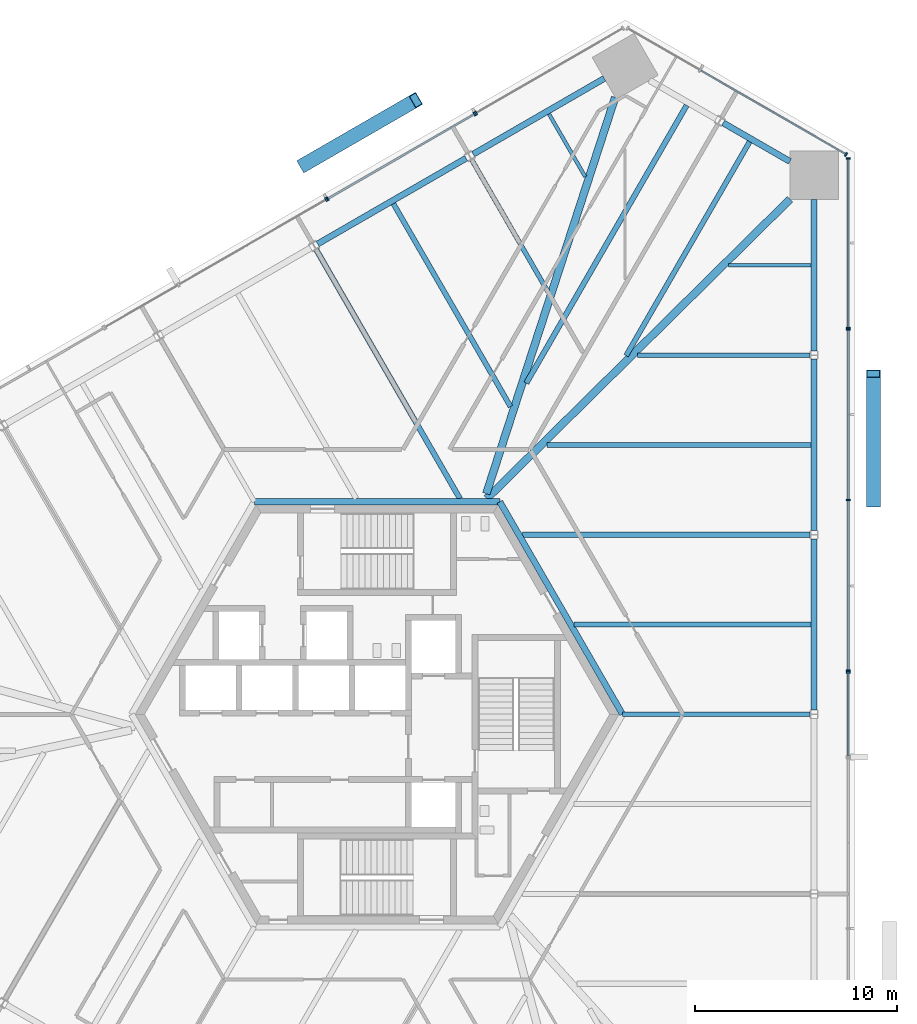
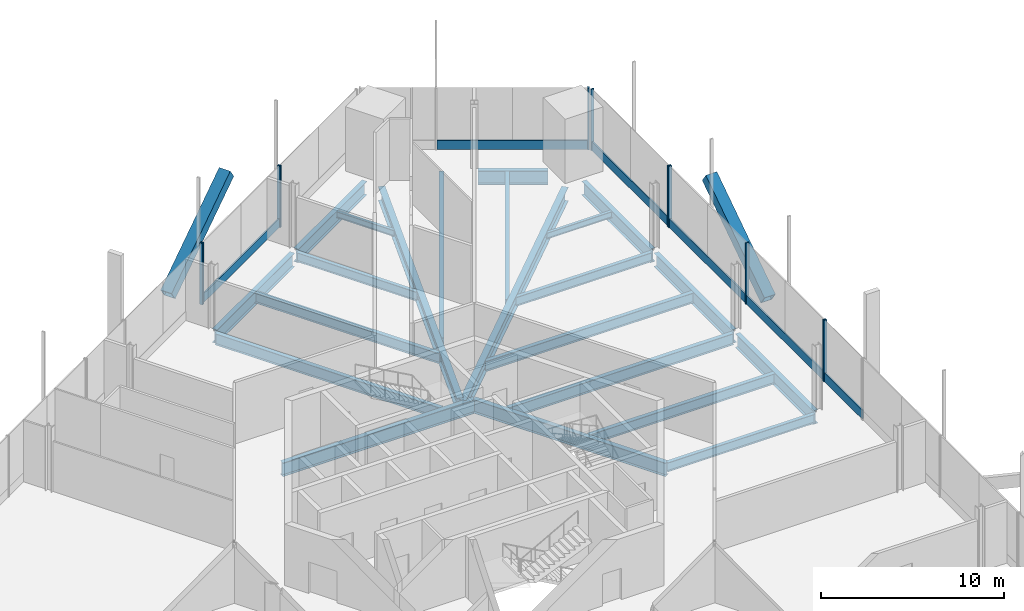
# One storey, part 7 of 19: 22 beams, 19 members, 7 elements without a shape of their own.
"""IFC4 building model written with IfcOpenShell, lengths in metres."""

from ifc_helpers import new_model, si_unit, direction, frame, origin, origin_2d, place, context, subcontext, project, spatial, rectangle, hollow_rectangle, i_section, extrude, source, transform, mapped, material, material_profile, profile_set, type_object, element, aggregate, save


model = new_model("IFC4")

# Units and contexts
model_context = context("Model", 3, precision=1e-05, world=origin(), true_north=direction((0.0, 1.0)))
body_context = subcontext(model_context, "Body", "Model", "MODEL_VIEW")
ifc_project = project(units=[si_unit("LENGTHUNIT", "METRE"), si_unit("AREAUNIT", "SQUARE_METRE"), si_unit("VOLUMEUNIT", "CUBIC_METRE"), si_unit("PLANEANGLEUNIT", "RADIAN"), si_unit("MASSUNIT", "GRAM", prefix="KILO")], contexts=[model_context])

# Site, building, storey
site_placement = place(None, origin())
site = spatial("IfcSite", under=ifc_project, at=site_placement, CompositionType="ELEMENT")
building_placement = place(site_placement, origin())
building = spatial("IfcBuilding", under=site, at=building_placement, Name="Triune Harvest Tower", CompositionType="ELEMENT")
storey_placement = place(building_placement, frame((0.0, 0.0, 41.800048828125)))
storey = spatial("IfcBuildingStorey", under=building, at=storey_placement, Name="L09", CompositionType="ELEMENT", Elevation=41.800048828125)

# Beams
ifc_material_1 = material(Name="Steel ASTM A992 Gr 50", Category="steel")
ifc_material_profile_1 = material_profile(ifc_material_1, i_section(OverallWidth=0.3046875, OverallDepth=0.914306640625, WebThickness=0.0166015625, FlangeThickness=0.02587890625, at=origin_2d()), Name="W36x160")
ifc_profile_set_1 = profile_set([ifc_material_profile_1], Name="Steel ASTM A992 Gr 50")
beam_type_1 = type_object("IfcBeamType", Name="CG-1 Core ring girder W36x160", PredefinedType="BEAM", material=ifc_profile_set_1)
shared_shape_1 = source(origin(), body_context, "Body", "SweptSolid", [
    extrude(i_section(OverallWidth=0.3046875, OverallDepth=0.914306640625, WebThickness=0.0166015625, FlangeThickness=0.02587890625, at=origin_2d()), origin(), (0.0, 0.0, 1.0), 12.176025390625),
])
beam_1_placement = place(storey_placement, frame((12.176025390625, 0.0, -0.6572265625), z_axis=(-0.5000099932, 0.866019634131, 0.0), x_axis=(-0.866019634131, -0.5000099932, 0.0)))
element("IfcBeam", 1, at=beam_1_placement, inside=storey, type_object=beam_type_1, Name="beam/L09/CG1", PredefinedType="BEAM", context=body_context, shape_type="MappedRepresentation", body=[
    mapped(shared_shape_1, transform((0.0, 0.0, 0.0), scale=1.0)),
])
shared_shape_2 = source(origin(), body_context, "Body", "SweptSolid", [
    extrude(i_section(OverallWidth=0.3046875, OverallDepth=0.914306640625, WebThickness=0.0166015625, FlangeThickness=0.02587890625, at=origin_2d()), origin(), (0.0, 0.0, 1.0), 12.17578125),
])
beam_2_placement = place(storey_placement, frame((6.087890625, 10.544677734375, -0.6572265625), z_axis=(-1.0, 0.0, 0.0), x_axis=(0.0, -1.0, 0.0)))
element("IfcBeam", 2, at=beam_2_placement, inside=storey, type_object=beam_type_1, Name="beam/L09/CG2", PredefinedType="BEAM", context=body_context, shape_type="MappedRepresentation", body=[
    mapped(shared_shape_2, transform((0.0, 0.0, 0.0), scale=1.0)),
])
ifc_material_2 = material(Name="Steel ASTM A992 Gr 50", Category="steel")
ifc_material_profile_2 = material_profile(ifc_material_2, i_section(OverallWidth=0.383544921875, OverallDepth=0.9423828125, WebThickness=0.022216796875, FlangeThickness=0.039794921875, at=origin_2d()), Name="W36x232")
ifc_profile_set_2 = profile_set([ifc_material_profile_2], Name="Steel ASTM A992 Gr 50")
beam_type_2 = type_object("IfcBeamType", Name="HG-1 Hip girder W36x232", PredefinedType="BEAM", material=ifc_profile_set_2)
shared_shape_3 = source(origin(), body_context, "Body", "SweptSolid", [
    extrude(i_section(OverallWidth=0.383544921875, OverallDepth=0.9423828125, WebThickness=0.022216796875, FlangeThickness=0.039794921875, at=origin_2d()), origin(), (0.0, 0.0, 1.0), 21.132568359375),
])
beam_3_placement = place(storey_placement, frame((20.4794921875, 25.545166015625, -0.671142578125), z_axis=(-0.711563602244, -0.7026216905, 0.0), x_axis=(0.7026216905, -0.711563602244, 0.0)))
element("IfcBeam", 3, at=beam_3_placement, inside=storey, type_object=beam_type_2, Name="beam/L09/HG2", PredefinedType="BEAM", context=body_context, shape_type="MappedRepresentation", body=[
    mapped(shared_shape_3, transform((0.0, 0.0, 0.0), scale=1.0)),
])
shared_shape_4 = source(origin(), body_context, "Body", "SweptSolid", [
    extrude(i_section(OverallWidth=0.383544921875, OverallDepth=0.9423828125, WebThickness=0.022216796875, FlangeThickness=0.039794921875, at=origin_2d()), origin(), (0.0, 0.0, 1.0), 20.676025390625),
])
beam_4_placement = place(storey_placement, frame((11.809814453125, 30.6044921875, -0.671142578125), z_axis=(-0.309191000288, -0.950999960747, 0.0), x_axis=(0.950999960747, -0.309191000288, 0.0)))
element("IfcBeam", 4, at=beam_4_placement, inside=storey, type_object=beam_type_2, Name="beam/L09/HG3", PredefinedType="BEAM", context=body_context, shape_type="MappedRepresentation", body=[
    mapped(shared_shape_4, transform((0.0, 0.0, 0.0), scale=1.0)),
])
ifc_material_3 = material(Name="Steel ASTM A992 Gr 50", Category="steel")
ifc_material_profile_3 = material_profile(ifc_material_3, i_section(OverallWidth=0.2666015625, OverallDepth=0.7568359375, WebThickness=0.013916015625, FlangeThickness=0.019287109375, at=origin_2d()), Name="W30x108")
ifc_profile_set_3 = profile_set([ifc_material_profile_3], Name="Steel ASTM A992 Gr 50")
beam_type_3 = type_object("IfcBeamType", Name="JT-5 Floor joist W30x108", PredefinedType="JOIST", material=ifc_profile_set_3)
shared_shape_5 = source(origin(), body_context, "Body", "SweptSolid", [
    extrude(i_section(OverallWidth=0.2666015625, OverallDepth=0.7568359375, WebThickness=0.013916015625, FlangeThickness=0.019287109375, at=origin_2d()), origin(), (0.0, 0.0, 1.0), 14.2685546875),
])
for number, where, z_axis, x_axis, name in (
    (5, (21.476318359375, 8.909912109375, -0.57861328125), (-1.0, 0.0, 0.0), (0.0, -1.0, 0.0), "beam/L09/JT8"),
    (6, (-3.02197265625, 23.053955078125, -0.57861328125), (0.499999916269, -0.866025452127, 0.0), (0.866025452127, 0.499999916269, 0.0), "beam/L09/JT17"),
):
    element("IfcBeam", number, at=place(storey_placement, frame(where, z_axis=z_axis, x_axis=x_axis)), inside=storey, type_object=beam_type_3, Name=name, PredefinedType="JOIST", context=body_context, shape_type="MappedRepresentation", body=[
        mapped(shared_shape_5, transform((0.0, 0.0, 0.0), scale=1.0)),
    ])
ifc_material_4 = material(Name="Steel ASTM A992 Gr 50", Category="steel")
ifc_material_profile_4 = material_profile(ifc_material_4, i_section(OverallWidth=0.22900390625, OverallDepth=0.612060546875, WebThickness=0.011962890625, FlangeThickness=0.01953125, at=origin_2d()), Name="W24x84")
ifc_profile_set_4 = profile_set([ifc_material_profile_4], Name="Steel ASTM A992 Gr 50")
beam_type_4 = type_object("IfcBeamType", Name="JT-3 Floor joist W24x84", PredefinedType="JOIST", material=ifc_profile_set_4)
shared_shape_6 = source(origin(), body_context, "Body", "SweptSolid", [
    extrude(i_section(OverallWidth=0.22900390625, OverallDepth=0.612060546875, WebThickness=0.011962890625, FlangeThickness=0.01953125, at=origin_2d()), origin(), (0.0, 0.0, 1.0), 9.30029296875),
])
beam_5_placement = place(storey_placement, frame((21.476318359375, 0.0, -0.506103515625), z_axis=(-1.0, 0.0, 0.0), x_axis=(0.0, -1.0, 0.0)))
element("IfcBeam", 7, at=beam_5_placement, inside=storey, type_object=beam_type_4, Name="beam/L09/JT6", PredefinedType="JOIST", context=body_context, shape_type="MappedRepresentation", body=[
    mapped(shared_shape_6, transform((0.0, 0.0, 0.0), scale=1.0)),
])
shared_shape_7 = source(origin(), body_context, "Body", "SweptSolid", [
    extrude(i_section(OverallWidth=0.22900390625, OverallDepth=0.612060546875, WebThickness=0.011962890625, FlangeThickness=0.01953125, at=origin_2d()), origin(), (0.0, 0.0, 1.0), 8.54736328125),
])
beam_6_placement = place(storey_placement, frame((21.476318359375, 17.820068359375, -0.506103515625), z_axis=(-1.0, 0.0, 0.0), x_axis=(0.0, -1.0, 0.0)))
element("IfcBeam", 8, at=beam_6_placement, inside=storey, type_object=beam_type_4, Name="beam/L09/JT10", PredefinedType="JOIST", context=body_context, shape_type="MappedRepresentation", body=[
    mapped(shared_shape_7, transform((0.0, 0.0, 0.0), scale=1.0)),
])
shared_shape_8 = source(origin(), body_context, "Body", "SweptSolid", [
    extrude(i_section(OverallWidth=0.22900390625, OverallDepth=0.612060546875, WebThickness=0.011962890625, FlangeThickness=0.01953125, at=origin_2d()), origin(), (0.0, 0.0, 1.0), 7.55859375),
])
beam_7_placement = place(storey_placement, frame((4.6943359375, 27.509033203125, -0.506103515625), z_axis=(0.500002049001, -0.86602422079, 0.0), x_axis=(0.86602422079, 0.500002049001, 0.0)))
element("IfcBeam", 9, at=beam_7_placement, inside=storey, type_object=beam_type_4, Name="beam/L09/JT15", PredefinedType="JOIST", context=body_context, shape_type="MappedRepresentation", body=[
    mapped(shared_shape_8, transform((0.0, 0.0, 0.0), scale=1.0)),
])
ifc_material_5 = material(Name="Steel ASTM A992 Gr 50", Category="steel")
ifc_material_profile_5 = material_profile(ifc_material_5, i_section(OverallWidth=0.3046875, OverallDepth=0.914306640625, WebThickness=0.0166015625, FlangeThickness=0.02587890625, at=origin_2d()), Name="W36x160")
ifc_profile_set_5 = profile_set([ifc_material_profile_5], Name="Steel ASTM A992 Gr 50")
beam_type_5 = type_object("IfcBeamType", Name="SB-1 Spandrel beam W36x160", PredefinedType="SPANDREL", material=ifc_profile_set_5)
shared_shape_9 = source(origin(), body_context, "Body", "SweptSolid", [
    extrude(i_section(OverallWidth=0.3046875, OverallDepth=0.914306640625, WebThickness=0.0166015625, FlangeThickness=0.02587890625, at=origin_2d()), origin(), (0.0, 0.0, 1.0), 7.508056640625),
])
beam_8_placement = place(storey_placement, frame((21.679443359375, 18.02197265625, -0.6572265625), z_axis=(0.0, 1.0, 0.0), x_axis=(-1.0, 0.0, 0.0)))
element("IfcBeam", 10, at=beam_8_placement, inside=storey, type_object=beam_type_5, Name="beam/L09/SB6", PredefinedType="SPANDREL", context=body_context, shape_type="MappedRepresentation", body=[
    mapped(shared_shape_9, transform((0.0, 0.0, 0.0), scale=1.0)),
])
shared_shape_10 = source(origin(), body_context, "Body", "SweptSolid", [
    extrude(i_section(OverallWidth=0.3046875, OverallDepth=0.914306640625, WebThickness=0.0166015625, FlangeThickness=0.02587890625, at=origin_2d()), origin(), (0.0, 0.0, 1.0), 8.50634765625),
])
beam_9_placement = place(storey_placement, frame((21.679443359375, 9.11181640625, -0.6572265625), z_axis=(0.0, 1.0, 0.0), x_axis=(-1.0, 0.0, 0.0)))
element("IfcBeam", 11, at=beam_9_placement, inside=storey, type_object=beam_type_5, Name="beam/L09/SB5", PredefinedType="SPANDREL", context=body_context, shape_type="MappedRepresentation", body=[
    mapped(shared_shape_10, transform((0.0, 0.0, 0.0), scale=1.0)),
])
shared_shape_11 = source(origin(), body_context, "Body", "SweptSolid", [
    extrude(i_section(OverallWidth=0.3046875, OverallDepth=0.914306640625, WebThickness=0.0166015625, FlangeThickness=0.02587890625, at=origin_2d()), origin(), (0.0, 0.0, 1.0), 8.506103515625),
])
for number, where, z_axis, x_axis, name in (
    (12, (21.679443359375, 0.201904296875, -0.6572265625), (0.0, 1.0, 0.0), (-1.0, 0.0, 0.0), "beam/L09/SB4"),
    (13, (4.41796875, 27.583984375, -0.6572265625), (-0.866030246746, -0.49999161165, 0.0), (0.49999161165, -0.866030246746, 0.0), "beam/L09/SB10"),
):
    element("IfcBeam", number, at=place(storey_placement, frame(where, z_axis=z_axis, x_axis=x_axis)), inside=storey, type_object=beam_type_5, Name=name, PredefinedType="SPANDREL", context=body_context, shape_type="MappedRepresentation", body=[
        mapped(shared_shape_11, transform((0.0, 0.0, 0.0), scale=1.0)),
    ])
shared_shape_12 = source(origin(), body_context, "Body", "SweptSolid", [
    extrude(i_section(OverallWidth=0.3046875, OverallDepth=0.914306640625, WebThickness=0.0166015625, FlangeThickness=0.02587890625, at=origin_2d()), origin(), (0.0, 0.0, 1.0), 3.822265625),
])
beam_10_placement = place(storey_placement, frame((20.4794921875, 27.4228515625, -0.6572265625), z_axis=(-0.866033487859, 0.499985997711, 0.0), x_axis=(-0.499985997711, -0.866033487859, 0.0)))
element("IfcBeam", 14, at=beam_10_placement, inside=storey, type_object=beam_type_5, Name="beam/L09/SB7", PredefinedType="SPANDREL", context=body_context, shape_type="MappedRepresentation", body=[
    mapped(shared_shape_12, transform((0.0, 0.0, 0.0), scale=1.0)),
])
shared_shape_13 = source(origin(), body_context, "Body", "SweptSolid", [
    extrude(i_section(OverallWidth=0.3046875, OverallDepth=0.914306640625, WebThickness=0.0166015625, FlangeThickness=0.02587890625, at=origin_2d()), origin(), (0.0, 0.0, 1.0), 7.50830078125),
])
beam_11_placement = place(storey_placement, frame((11.27001953125, 31.5400390625, -0.6572265625), z_axis=(-0.866027474485, -0.499996413425, 0.0), x_axis=(0.499996413425, -0.866027474485, 0.0)))
element("IfcBeam", 15, at=beam_11_placement, inside=storey, type_object=beam_type_5, Name="beam/L09/SB9", PredefinedType="SPANDREL", context=body_context, shape_type="MappedRepresentation", body=[
    mapped(shared_shape_13, transform((0.0, 0.0, 0.0), scale=1.0)),
])
ifc_material_6 = material(Name="Steel ASTM A992 Gr 50", Category="steel")
ifc_material_profile_6 = material_profile(ifc_material_6, i_section(OverallWidth=0.180908203125, OverallDepth=0.41650390625, WebThickness=0.010986328125, FlangeThickness=0.01806640625, at=origin_2d()), Name="W16x57")
ifc_profile_set_6 = profile_set([ifc_material_profile_6], Name="Steel ASTM A992 Gr 50")
beam_type_6 = type_object("IfcBeamType", Name="JT-1 Floor joist W16x57", PredefinedType="JOIST", material=ifc_profile_set_6)
shared_shape_14 = source(origin(), body_context, "Body", "SweptSolid", [
    extrude(i_section(OverallWidth=0.180908203125, OverallDepth=0.41650390625, WebThickness=0.010986328125, FlangeThickness=0.01806640625, at=origin_2d()), origin(), (0.0, 0.0, 1.0), 3.599365234375),
])
beam_12_placement = place(storey_placement, frame((8.527099609375, 29.780517578125, -0.408447265625), z_axis=(0.50001992892, -0.866013897511, 0.0), x_axis=(0.866013897511, 0.50001992892, 0.0)))
element("IfcBeam", 16, at=beam_12_placement, inside=storey, type_object=beam_type_6, Name="beam/L09/JT14", PredefinedType="JOIST", context=body_context, shape_type="MappedRepresentation", body=[
    mapped(shared_shape_14, transform((0.0, 0.0, 0.0), scale=1.0)),
])
ifc_material_7 = material(Name="Steel ASTM A992 Gr 50", Category="steel")
ifc_material_profile_7 = material_profile(ifc_material_7, i_section(OverallWidth=0.253662109375, OverallDepth=0.683349609375, WebThickness=0.012451171875, FlangeThickness=0.01904296875, at=origin_2d()), Name="W27x94")
ifc_profile_set_7 = profile_set([ifc_material_profile_7], Name="Steel ASTM A992 Gr 50")
beam_type_7 = type_object("IfcBeamType", Name="JT-4 Floor joist W27x94", PredefinedType="JOIST", material=ifc_profile_set_7)
shared_shape_15 = source(origin(), body_context, "Body", "SweptSolid", [
    extrude(i_section(OverallWidth=0.253662109375, OverallDepth=0.683349609375, WebThickness=0.012451171875, FlangeThickness=0.01904296875, at=origin_2d()), origin(), (0.0, 0.0, 1.0), 11.747314453125),
])
beam_13_placement = place(storey_placement, frame((21.527099609375, 4.455078125, -0.541748046875), z_axis=(-1.0, 0.0, 0.0), x_axis=(0.0, -1.0, 0.0)))
element("IfcBeam", 17, at=beam_13_placement, inside=storey, type_object=beam_type_7, Name="beam/L09/JT7", PredefinedType="JOIST", context=body_context, shape_type="MappedRepresentation", body=[
    mapped(shared_shape_15, transform((0.0, 0.0, 0.0), scale=1.0)),
])
shared_shape_16 = source(origin(), body_context, "Body", "SweptSolid", [
    extrude(i_section(OverallWidth=0.253662109375, OverallDepth=0.683349609375, WebThickness=0.012451171875, FlangeThickness=0.01904296875, at=origin_2d()), origin(), (0.0, 0.0, 1.0), 13.110107421875),
])
beam_14_placement = place(storey_placement, frame((21.527099609375, 13.364990234375, -0.541748046875), z_axis=(-1.0, 0.0, 0.0), x_axis=(0.0, -1.0, 0.0)))
element("IfcBeam", 18, at=beam_14_placement, inside=storey, type_object=beam_type_7, Name="beam/L09/JT9", PredefinedType="JOIST", context=body_context, shape_type="MappedRepresentation", body=[
    mapped(shared_shape_16, transform((0.0, 0.0, 0.0), scale=1.0)),
])
shared_shape_17 = source(origin(), body_context, "Body", "SweptSolid", [
    extrude(i_section(OverallWidth=0.180908203125, OverallDepth=0.41650390625, WebThickness=0.010986328125, FlangeThickness=0.01806640625, at=origin_2d()), origin(), (0.0, 0.0, 1.0), 4.08642578125),
])
beam_15_placement = place(storey_placement, frame((21.527099609375, 22.27490234375, -0.408447265625), z_axis=(-1.0, 0.0, 0.0), x_axis=(0.0, -1.0, 0.0)))
element("IfcBeam", 19, at=beam_15_placement, inside=storey, type_object=beam_type_6, Name="beam/L09/JT11", PredefinedType="JOIST", context=body_context, shape_type="MappedRepresentation", body=[
    mapped(shared_shape_17, transform((0.0, 0.0, 0.0), scale=1.0)),
])
shared_shape_18 = source(origin(), body_context, "Body", "SweptSolid", [
    extrude(i_section(OverallWidth=0.253662109375, OverallDepth=0.683349609375, WebThickness=0.012451171875, FlangeThickness=0.01904296875, at=origin_2d()), origin(), (0.0, 0.0, 1.0), 12.2509765625),
])
beam_16_placement = place(storey_placement, frame((18.479736328125, 28.4013671875, -0.541748046875), z_axis=(-0.500001335473, -0.866024632748, 0.0), x_axis=(0.866024632748, -0.500001335473, 0.0)))
element("IfcBeam", 20, at=beam_16_placement, inside=storey, type_object=beam_type_7, Name="beam/L09/JT12", PredefinedType="JOIST", context=body_context, shape_type="MappedRepresentation", body=[
    mapped(shared_shape_18, transform((0.0, 0.0, 0.0), scale=1.0)),
])
shared_shape_19 = source(origin(), body_context, "Body", "SweptSolid", [
    extrude(i_section(OverallWidth=0.2666015625, OverallDepth=0.7568359375, WebThickness=0.013916015625, FlangeThickness=0.019287109375, at=origin_2d()), origin(), (0.0, 0.0, 1.0), 15.90771484375),
])
beam_17_placement = place(storey_placement, frame((15.3564453125, 30.20458984375, -0.57861328125), z_axis=(-0.500003211559, -0.866023549582, 0.0), x_axis=(0.866023549582, -0.500003211559, 0.0)))
element("IfcBeam", 21, at=beam_17_placement, inside=storey, type_object=beam_type_3, Name="beam/L09/JT13", PredefinedType="JOIST", context=body_context, shape_type="MappedRepresentation", body=[
    mapped(shared_shape_19, transform((0.0, 0.0, 0.0), scale=1.0)),
])
shared_shape_20 = source(origin(), body_context, "Body", "SweptSolid", [
    extrude(i_section(OverallWidth=0.253662109375, OverallDepth=0.683349609375, WebThickness=0.012451171875, FlangeThickness=0.01904296875, at=origin_2d()), origin(), (0.0, 0.0, 1.0), 11.618896484375),
])
beam_18_placement = place(storey_placement, frame((0.810791015625, 25.325439453125, -0.541748046875), z_axis=(0.500008015982, -0.866020775706, 0.0), x_axis=(0.866020775706, 0.500008015982, 0.0)))
element("IfcBeam", 22, at=beam_18_placement, inside=storey, type_object=beam_type_7, Name="beam/L09/JT16", PredefinedType="JOIST", context=body_context, shape_type="MappedRepresentation", body=[
    mapped(shared_shape_20, transform((0.0, 0.0, 0.0), scale=1.0)),
])

# Members
ifc_material_8 = material(Name="Steel ASTM A572 Gr 50", Category="steel")
ifc_material_profile_8 = material_profile(ifc_material_8, hollow_rectangle(XDim=0.699951171875, YDim=0.699951171875, WallThickness=0.0400390625, at=origin_2d()), Name="Box 700x700x40")
ifc_profile_set_8 = profile_set([ifc_material_profile_8], Name="Steel ASTM A572 Gr 50")
member_type_1 = type_object("IfcMemberType", Name="BR-1 Brace Box 700x700x40", PredefinedType="BRACE", material=ifc_profile_set_8)
shared_shape_21 = source(origin(), body_context, "Body", "SweptSolid", [
    extrude(hollow_rectangle(XDim=0.699951171875, YDim=0.699951171875, WallThickness=0.0400390625, at=origin_2d()), origin(), (0.0, 0.0, 1.0), 7.728515625),
])
for number, where, z_axis, x_axis, name in (
    (23, (24.621337890625, 10.471923828125, 0.0), (0.0, 0.830925953807, 0.556383014918), (-1.0, 0.0, 0.0), "brace/B1-F1/d1/7"),
    (24, (-3.641845703125, 27.25146484375, 0.0), (0.719604017031, 0.415462336786, 0.556382157681), (-0.499998884236, 0.86602604797, 0.0), "brace/B1-F3/d2/7"),
):
    element("IfcMember", number, at=place(storey_placement, frame(where, z_axis=z_axis, x_axis=x_axis)), inside=storey, type_object=member_type_1, Name=name, PredefinedType="BRACE", context=body_context, shape_type="MappedRepresentation", body=[
        mapped(shared_shape_21, transform((0.0, 0.0, 0.0), scale=1.0)),
    ])

# Curtain wall, member
ifc_material_9 = material(Name="Aluminium bronze anodised", Category="aluminium")
curtain_wall_type_1 = type_object("IfcCurtainWallType", Name="CW-3 Farm floor curtain wall", PredefinedType="NOTDEFINED", material=ifc_material_9)
curtain_wall_1_placement = place(storey_placement, origin())
curtain_wall_1 = element("IfcCurtainWall", 25, at=curtain_wall_1_placement, inside=storey, type_object=curtain_wall_type_1, Name="CW-3 B1-F2 L09 run 1")
ifc_material_10 = material(Name="Aluminium bronze anodised", Category="aluminium")
ifc_material_profile_9 = material_profile(ifc_material_10, rectangle(XDim=0.090087890625, YDim=0.60009765625, at=origin_2d()), Name="TR-3 transom 90 x 600")
ifc_profile_set_9 = profile_set([ifc_material_profile_9], Name="Aluminium bronze anodised")
member_type_2 = type_object("IfcMemberType", Name="TR-3 transom 90 x 600", PredefinedType="USERDEFINED", material=ifc_profile_set_9)
shared_shape_22 = source(origin(), body_context, "Body", "SweptSolid", [
    extrude(rectangle(XDim=0.090087890625, YDim=0.60009765625, at=origin_2d()), origin(), (0.0, 0.0, 1.0), 8.27587890625),
])
member_1_placement = place(storey_placement, frame((23.22412109375, 27.791748046875, 0.300048828125), z_axis=(-0.866021501281, 0.500006759273, 0.0), x_axis=(-0.500006759273, -0.866021501281, 0.0)))
member_1 = element("IfcMember", 26, at=member_1_placement, type_object=member_type_2, Name="CW-3 transom B1-F2 1.1", ObjectType="TRANSOM", PredefinedType="USERDEFINED", context=body_context, shape_type="MappedRepresentation", body=[
    mapped(shared_shape_22, transform((0.0, 0.0, 0.0), scale=1.0)),
])

curtain_wall_2_placement = place(storey_placement, origin())
curtain_wall_2 = element("IfcCurtainWall", 27, at=curtain_wall_2_placement, inside=storey, type_object=curtain_wall_type_1, Name="CW-3 B1-F1 L09 run 2001")
ifc_material_11 = material(Name="Aluminium bronze anodised", Category="aluminium")
ifc_material_profile_10 = material_profile(ifc_material_11, rectangle(XDim=0.199951171875, YDim=0.080078125, at=origin_2d()), Name="MU-3 mullion 80 x 200")
ifc_profile_set_10 = profile_set([ifc_material_profile_10], Name="Aluminium bronze anodised")
member_type_3 = type_object("IfcMemberType", Name="MU-3 mullion 80 x 200", PredefinedType="MULLION", material=ifc_profile_set_10)
shared_shape_23 = source(origin(), body_context, "Body", "SweptSolid", [
    extrude(rectangle(XDim=0.199951171875, YDim=0.080078125, at=origin_2d()), origin(), (0.0, 0.0, 1.0), 4.099853515625),
])
member_2_placement = place(storey_placement, frame((23.371337890625, 2.08447265625, 0.0), z_axis=(0.0, 0.0, 1.0), x_axis=(-1.0, 0.0, 0.0)))
member_2 = element("IfcMember", 28, at=member_2_placement, type_object=member_type_3, Name="CW-3 mullion B1-F1 2001.2", PredefinedType="MULLION", context=body_context, shape_type="MappedRepresentation", body=[
    mapped(shared_shape_23, transform((0.0, 0.0, 0.0), scale=1.0)),
])

# Curtain wall, members
ifc_material_12 = material(Name="Aluminium bronze anodised", Category="aluminium")
curtain_wall_type_2 = type_object("IfcCurtainWallType", Name="CW-8 Farm floor curtain wall with insulated spandrel infill", PredefinedType="NOTDEFINED", material=ifc_material_12)
curtain_wall_3_placement = place(storey_placement, origin())
curtain_wall_3 = element("IfcCurtainWall", 29, at=curtain_wall_3_placement, inside=storey, type_object=curtain_wall_type_2, Name="CW-8 B1-F1 L09 run 3001")
member_3_placement = place(storey_placement, frame((23.371337890625, 2.164306640625, 0.0), z_axis=(0.0, 0.0, 1.0), x_axis=(-1.0, 0.0, 0.0)))
member_3 = element("IfcMember", 30, at=member_3_placement, type_object=member_type_3, Name="CW-8 mullion B1-F1 3001.1", PredefinedType="MULLION", context=body_context, shape_type="MappedRepresentation", body=[
    mapped(shared_shape_23, transform((0.0, 0.0, 0.0), scale=1.0)),
])
member_4_placement = place(storey_placement, frame((23.371337890625, 10.621826171875, 0.0), z_axis=(0.0, 0.0, 1.0), x_axis=(-1.0, 0.0, 0.0)))
member_4 = element("IfcMember", 31, at=member_4_placement, type_object=member_type_3, Name="CW-8 mullion B1-F1 3001.3", PredefinedType="MULLION", context=body_context, shape_type="MappedRepresentation", body=[
    mapped(shared_shape_23, transform((0.0, 0.0, 0.0), scale=1.0)),
])
member_5_placement = place(storey_placement, frame((23.371337890625, 19.079345703125, 0.0), z_axis=(0.0, 0.0, 1.0), x_axis=(-1.0, 0.0, 0.0)))
member_5 = element("IfcMember", 32, at=member_5_placement, type_object=member_type_3, Name="CW-8 mullion B1-F1 3001.5", PredefinedType="MULLION", context=body_context, shape_type="MappedRepresentation", body=[
    mapped(shared_shape_23, transform((0.0, 0.0, 0.0), scale=1.0)),
])

curtain_wall_4_placement = place(storey_placement, origin())
curtain_wall_4 = element("IfcCurtainWall", 33, at=curtain_wall_4_placement, inside=storey, type_object=curtain_wall_type_1, Name="CW-3 B1-F1 L09 run 4001")
member_6_placement = place(storey_placement, frame((23.371337890625, 19.1591796875, 0.0), z_axis=(0.0, 0.0, 1.0), x_axis=(-1.0, 0.0, 0.0)))
member_6 = element("IfcMember", 34, at=member_6_placement, type_object=member_type_3, Name="CW-3 mullion B1-F1 4001.1", PredefinedType="MULLION", context=body_context, shape_type="MappedRepresentation", body=[
    mapped(shared_shape_23, transform((0.0, 0.0, 0.0), scale=1.0)),
])
member_7_placement = place(storey_placement, frame((23.371337890625, 27.576904296875, 0.0), z_axis=(0.0, 0.0, 1.0), x_axis=(-1.0, 0.0, 0.0)))
member_7 = element("IfcMember", 35, at=member_7_placement, type_object=member_type_3, Name="CW-3 mullion B1-F1 4001.3", PredefinedType="MULLION", context=body_context, shape_type="MappedRepresentation", body=[
    mapped(shared_shape_23, transform((0.0, 0.0, 0.0), scale=1.0)),
])

# Member
member_8_placement = place(storey_placement, frame((23.2587890625, 27.771728515625, 0.0), z_axis=(0.0, 0.0, 1.0), x_axis=(-0.499998715149, -0.866026145592, 0.0)))
member_8 = element("IfcMember", 36, at=member_8_placement, type_object=member_type_3, Name="CW-3 mullion B1-F2 1.1", PredefinedType="MULLION", context=body_context, shape_type="MappedRepresentation", body=[
    mapped(shared_shape_23, transform((0.0, 0.0, 0.0), scale=1.0)),
])

aggregate(curtain_wall_1, [member_8, member_1])

# Curtain wall, member
curtain_wall_5_placement = place(storey_placement, origin())
curtain_wall_5 = element("IfcCurtainWall", 37, at=curtain_wall_5_placement, inside=storey, type_object=curtain_wall_type_1, Name="CW-3 B1-F3 L09 run 1")
member_9_placement = place(storey_placement, frame((4.90673828125, 29.81982421875, 0.0), z_axis=(0.0, 0.0, 1.0), x_axis=(0.499995239328, -0.866028152342, 0.0)))
member_9 = element("IfcMember", 38, at=member_9_placement, type_object=member_type_3, Name="CW-3 mullion B1-F3 1.3", PredefinedType="MULLION", context=body_context, shape_type="MappedRepresentation", body=[
    mapped(shared_shape_23, transform((0.0, 0.0, 0.0), scale=1.0)),
])
aggregate(curtain_wall_5, [member_9])

# Curtain wall, members
curtain_wall_6_placement = place(storey_placement, origin())
curtain_wall_6 = element("IfcCurtainWall", 39, at=curtain_wall_6_placement, inside=storey, type_object=curtain_wall_type_2, Name="CW-8 B1-F3 L09 run 1001")
member_10_placement = place(storey_placement, frame((4.83740234375, 29.77978515625, 0.0), z_axis=(0.0, 0.0, 1.0), x_axis=(0.500007005209, -0.866021359287, 0.0)))
member_10 = element("IfcMember", 40, at=member_10_placement, type_object=member_type_3, Name="CW-8 mullion B1-F3 1001.1", PredefinedType="MULLION", context=body_context, shape_type="MappedRepresentation", body=[
    mapped(shared_shape_23, transform((0.0, 0.0, 0.0), scale=1.0)),
])
member_11_placement = place(storey_placement, frame((-2.4521484375, 25.571044921875, 0.0), z_axis=(0.0, 0.0, 1.0), x_axis=(0.500007005209, -0.866021359287, 0.0)))
member_11 = element("IfcMember", 41, at=member_11_placement, type_object=member_type_3, Name="CW-8 mullion B1-F3 1001.3", PredefinedType="MULLION", context=body_context, shape_type="MappedRepresentation", body=[
    mapped(shared_shape_23, transform((0.0, 0.0, 0.0), scale=1.0)),
])

# Curtain wall, member
curtain_wall_7_placement = place(storey_placement, origin())
curtain_wall_7 = element("IfcCurtainWall", 42, at=curtain_wall_7_placement, inside=storey, type_object=curtain_wall_type_1, Name="CW-3 B1-F3 L09 run 2001")
member_12_placement = place(storey_placement, frame((-2.521484375, 25.531005859375, 0.0), z_axis=(0.0, 0.0, 1.0), x_axis=(0.499997723952, -0.866026717857, 0.0)))
member_12 = element("IfcMember", 43, at=member_12_placement, type_object=member_type_3, Name="CW-3 mullion B1-F3 2001.1", PredefinedType="MULLION", context=body_context, shape_type="MappedRepresentation", body=[
    mapped(shared_shape_23, transform((0.0, 0.0, 0.0), scale=1.0)),
])
aggregate(curtain_wall_7, [member_12])

# Member
shared_shape_24 = source(origin(), body_context, "Body", "SweptSolid", [
    extrude(rectangle(XDim=0.090087890625, YDim=0.60009765625, at=origin_2d()), origin(), (0.0, 0.0, 1.0), 8.37744140625),
])
member_13_placement = place(storey_placement, frame((23.371337890625, 2.204345703125, 0.300048828125), z_axis=(0.0, 1.0, 0.0), x_axis=(-1.0, 0.0, 0.0)))
member_13 = element("IfcMember", 44, at=member_13_placement, type_object=member_type_2, Name="CW-8 transom B1-F1 3001.1", ObjectType="TRANSOM", PredefinedType="USERDEFINED", context=body_context, shape_type="MappedRepresentation", body=[
    mapped(shared_shape_24, transform((0.0, 0.0, 0.0), scale=1.0)),
])

member_14_placement = place(storey_placement, frame((23.371337890625, 10.661865234375, 0.300048828125), z_axis=(0.0, 1.0, 0.0), x_axis=(-1.0, 0.0, 0.0)))
member_14 = element("IfcMember", 45, at=member_14_placement, type_object=member_type_2, Name="CW-8 transom B1-F1 3001.2", ObjectType="TRANSOM", PredefinedType="USERDEFINED", context=body_context, shape_type="MappedRepresentation", body=[
    mapped(shared_shape_24, transform((0.0, 0.0, 0.0), scale=1.0)),
])

aggregate(curtain_wall_3, [member_3, member_4, member_5, member_13, member_14])

shared_shape_25 = source(origin(), body_context, "Body", "SweptSolid", [
    extrude(rectangle(XDim=0.090087890625, YDim=0.60009765625, at=origin_2d()), origin(), (0.0, 0.0, 1.0), 8.337646484375),
])
member_15_placement = place(storey_placement, frame((23.371337890625, 19.19921875, 0.300048828125), z_axis=(0.0, 1.0, 0.0), x_axis=(-1.0, 0.0, 0.0)))
member_15 = element("IfcMember", 46, at=member_15_placement, type_object=member_type_2, Name="CW-3 transom B1-F1 4001.1", ObjectType="TRANSOM", PredefinedType="USERDEFINED", context=body_context, shape_type="MappedRepresentation", body=[
    mapped(shared_shape_25, transform((0.0, 0.0, 0.0), scale=1.0)),
])

aggregate(curtain_wall_4, [member_6, member_7, member_15])

member_16_placement = place(storey_placement, frame((4.802734375, 29.760009765625, 0.300048828125), z_axis=(-0.866014425836, -0.500019013882, 0.0), x_axis=(0.500019013882, -0.866014425836, 0.0)))
member_16 = element("IfcMember", 47, at=member_16_placement, type_object=member_type_2, Name="CW-8 transom B1-F3 1001.1", ObjectType="TRANSOM", PredefinedType="USERDEFINED", context=body_context, shape_type="MappedRepresentation", body=[
    mapped(shared_shape_25, transform((0.0, 0.0, 0.0), scale=1.0)),
])

aggregate(curtain_wall_6, [member_10, member_11, member_16])

shared_shape_26 = source(origin(), body_context, "Body", "SweptSolid", [
    extrude(rectangle(XDim=0.090087890625, YDim=0.60009765625, at=origin_2d()), origin(), (0.0, 0.0, 1.0), 4.0888671875),
])
member_17_placement = place(storey_placement, frame((23.371337890625, -2.04443359375, 0.300048828125), z_axis=(0.0, 1.0, 0.0), x_axis=(-1.0, 0.0, 0.0)))
member_17 = element("IfcMember", 48, at=member_17_placement, type_object=member_type_2, Name="CW-3 transom B1-F1 2001.1", ObjectType="TRANSOM", PredefinedType="USERDEFINED", context=body_context, shape_type="MappedRepresentation", body=[
    mapped(shared_shape_26, transform((0.0, 0.0, 0.0), scale=1.0)),
])

aggregate(curtain_wall_2, [member_2, member_17])

save(model, "model.ifc")
